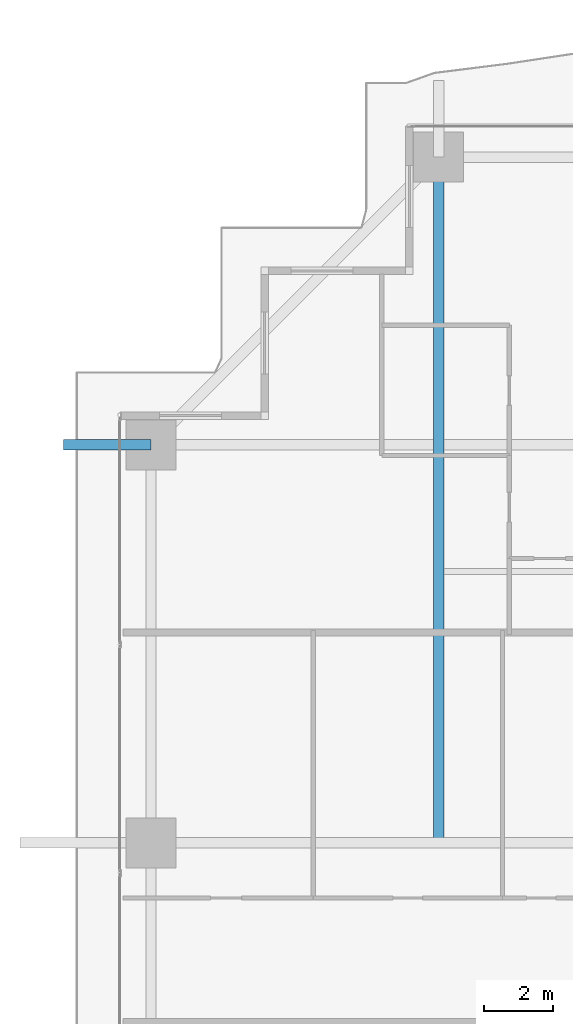
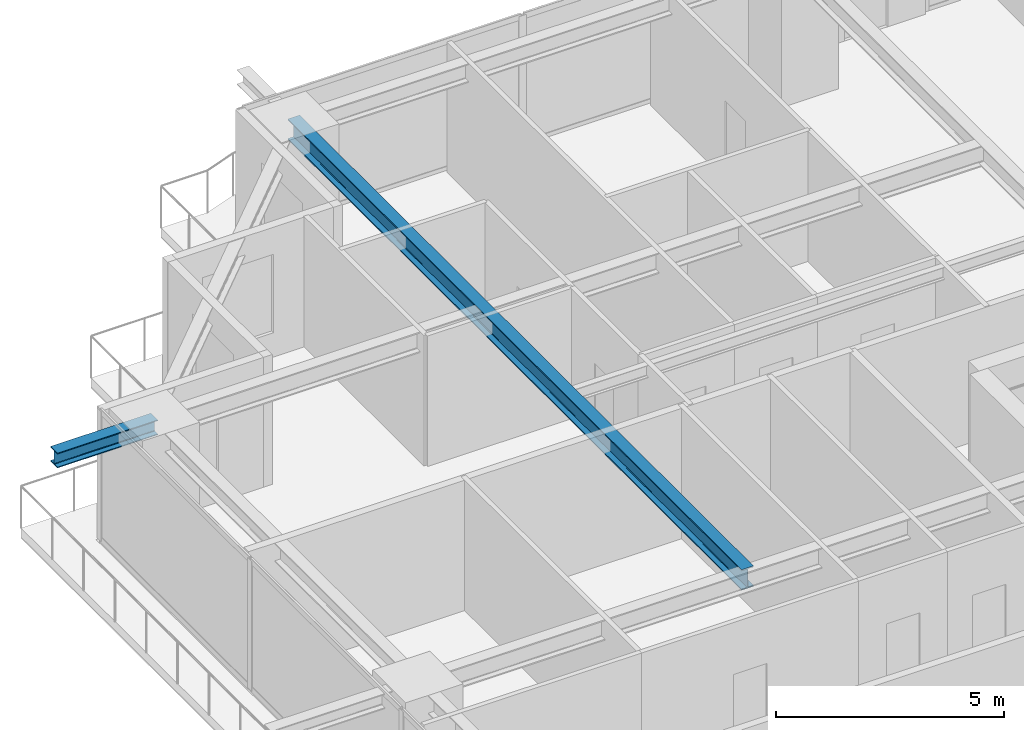
# One storey, part 17 of 38: 2 beams.
"""IFC4 building model written with IfcOpenShell, lengths in metres."""

from ifc_helpers import new_model, si_unit, direction, frame, origin, origin_2d, place, context, subcontext, project, spatial, i_section, extrude, source, transform, mapped, material, material_profile, profile_set, type_object, element, save


model = new_model("IFC4")

# Units and contexts
model_context = context("Model", 3, precision=1e-05, world=origin(), true_north=direction((0.0, 1.0)))
body_context = subcontext(model_context, "Body", "Model", "MODEL_VIEW")
ifc_project = project(units=[si_unit("LENGTHUNIT", "METRE"), si_unit("AREAUNIT", "SQUARE_METRE"), si_unit("VOLUMEUNIT", "CUBIC_METRE"), si_unit("PLANEANGLEUNIT", "RADIAN"), si_unit("MASSUNIT", "GRAM", prefix="KILO")], contexts=[model_context])

# Site, building, storey
site_placement = place(None, origin())
site = spatial("IfcSite", under=ifc_project, at=site_placement, CompositionType="ELEMENT")
building_placement = place(site_placement, origin())
building = spatial("IfcBuilding", under=site, at=building_placement, Name="Serunith Strait Residences", CompositionType="ELEMENT")
storey_placement = place(building_placement, frame((0.0, 0.0, 67.949951171875)))
storey = spatial("IfcBuildingStorey", under=building, at=storey_placement, Name="L16", CompositionType="ELEMENT", Elevation=67.949951171875)

# Beams
ifc_material = material(Name="Steel S355J2", Category="steel")
ifc_material_profile_1 = material_profile(ifc_material, i_section(OverallWidth=0.300048828125, OverallDepth=0.550048828125, WebThickness=0.014892578125, FlangeThickness=0.029052734375, FilletRadius=0.027099609375, at=origin_2d()), Name="HEB 550")
ifc_profile_set_1 = profile_set([ifc_material_profile_1], Name="Steel S355J2")
beam_type_1 = type_object("IfcBeamType", Name="BM-HEB550", PredefinedType="BEAM", material=ifc_profile_set_1)
shared_shape_1 = source(origin(), body_context, "Body", "SweptSolid", [
    extrude(i_section(OverallWidth=0.300048828125, OverallDepth=0.550048828125, WebThickness=0.014892578125, FlangeThickness=0.029052734375, FilletRadius=0.027099609375, at=origin_2d()), origin(), (0.0, 0.0, 1.0), 19.900146484375),
])
beam_1_placement = place(storey_placement, frame((15.25, 29.39990234375, 3.212158203125), z_axis=(0.0, 1.0, 0.0), x_axis=(-1.0, 0.0, 0.0)))
element("IfcBeam", 1, at=beam_1_placement, inside=storey, type_object=beam_type_1, Name="L16 Orthogonal Corner Girder TC-N1", PredefinedType="BEAM", context=body_context, shape_type="MappedRepresentation", body=[
    mapped(shared_shape_1, transform((0.0, 0.0, 0.0), scale=1.0)),
])
ifc_material_profile_2 = material_profile(ifc_material, i_section(OverallWidth=0.300048828125, OverallDepth=0.39990234375, WebThickness=0.013427734375, FlangeThickness=0.02392578125, FilletRadius=0.027099609375, at=origin_2d()), Name="HEB 400")
ifc_profile_set_2 = profile_set([ifc_material_profile_2], Name="Steel S355J2")
beam_type_2 = type_object("IfcBeamType", Name="BM-HEB400", PredefinedType="BEAM", material=ifc_profile_set_2)
shared_shape_2 = source(origin(), body_context, "Body", "SweptSolid", [
    extrude(i_section(OverallWidth=0.300048828125, OverallDepth=0.39990234375, WebThickness=0.013427734375, FlangeThickness=0.02392578125, FilletRadius=0.027099609375, at=origin_2d()), origin(), (0.0, 0.0, 1.0), 2.539306640625),
])
beam_2_placement = place(storey_placement, frame((6.89990234375, 40.949951171875, 3.257080078125), z_axis=(-1.0, 0.0, 0.0), x_axis=(0.0, -1.0, 0.0)))
element("IfcBeam", 2, at=beam_2_placement, inside=storey, type_object=beam_type_2, Name="L17 Cantilevered Balcony Rib TC-W4", PredefinedType="BEAM", context=body_context, shape_type="MappedRepresentation", body=[
    mapped(shared_shape_2, transform((0.0, 0.0, 0.0), scale=1.0)),
])

save(model, "model.ifc")
